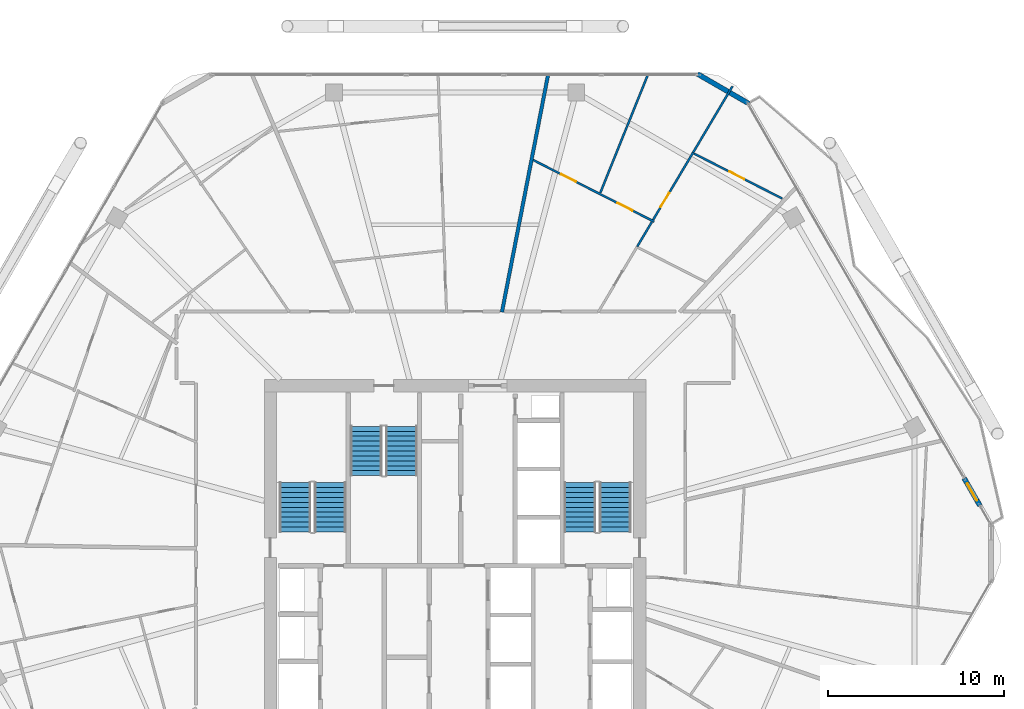
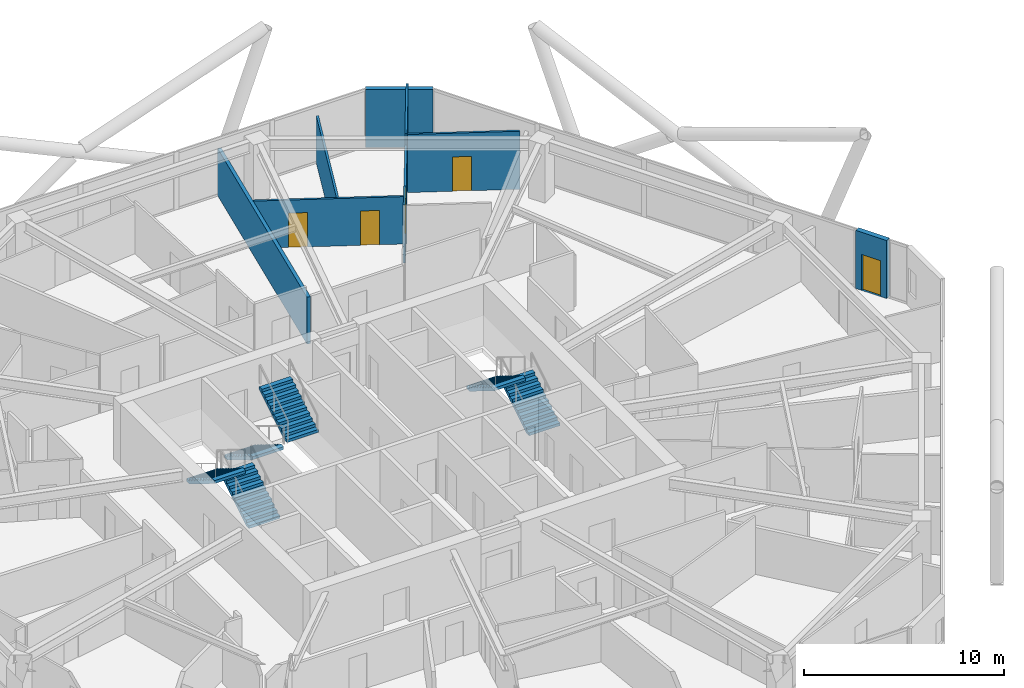
# One storey, part 24 of 27: 9 walls, 6 stair flights, 5 doors, 5 openings, 3 elements without a shape of their own.
"""IFC4 building model written with IfcOpenShell, lengths in metres."""

from ifc_helpers import new_model, si_unit, direction, frame, frame_2d, origin, place, context, subcontext, project, spatial, polyline, rectangle, outline, extrude, material, layer, layer_set, type_object, element, fill, aggregate, save


model = new_model("IFC4")

# Units and contexts
model_context = context("Model", 3, precision=1e-05, world=origin(), true_north=direction((0.0, 1.0)))
body_context = subcontext(model_context, "Body", "Model", "MODEL_VIEW")
ifc_project = project(units=[si_unit("LENGTHUNIT", "METRE"), si_unit("AREAUNIT", "SQUARE_METRE"), si_unit("VOLUMEUNIT", "CUBIC_METRE"), si_unit("PLANEANGLEUNIT", "RADIAN"), si_unit("MASSUNIT", "GRAM", prefix="KILO")], contexts=[model_context])

# Site, building, storey
site_placement = place(None, origin())
site = spatial("IfcSite", under=ifc_project, at=site_placement, CompositionType="ELEMENT")
building_placement = place(site_placement, origin())
building = spatial("IfcBuilding", under=site, at=building_placement, Name="Zuhravey Tower", CompositionType="ELEMENT")
storey_placement = place(building_placement, frame((0.0, 0.0, 215.0)))
storey = spatial("IfcBuildingStorey", under=building, at=storey_placement, Name="L54", CompositionType="ELEMENT", Elevation=215.0)

# Wall
ifc_material_1 = material(Name="Precast concrete C40/50", Category="concrete")
ifc_layer_1 = layer(ifc_material_1, 0.280029296875)
ifc_layer_set_1 = layer_set([ifc_layer_1], Name="Precast concrete C40/50")
wall_type_1 = type_object("IfcWallType", Name="Crown Architectural Wall 280", PredefinedType="SOLIDWALL", material=ifc_layer_set_1)
wall_1_placement = place(storey_placement, frame((49.77880859375, 59.230712890625, 0.0), z_axis=(0.0, 0.0, 1.0), x_axis=(0.866020068361, -0.500009241111, 0.0)))
element("IfcWall", 1, at=wall_1_placement, inside=storey, type_object=wall_type_1, Name="L54 Rounded Corner Closure Wall EW28-10", PredefinedType="SOLIDWALL", context=body_context, shape_type="SweptSolid", body=[
    extrude(rectangle(XDim=3.365234375, YDim=0.280029296875, at=frame_2d((1.6826171875, 0.0))), origin(), (0.0, 0.0, 1.0), 3.550048828125),
])

# Wall, opening, door
wall_2_placement = place(storey_placement, frame((64.937255859375, 36.24560546875, 0.0), z_axis=(0.0, 0.0, 1.0), x_axis=(0.499982180423, -0.866035691677, 0.0)))
wall_2 = element("IfcWall", 2, at=wall_2_placement, inside=storey, type_object=wall_type_1, Name="L54 Face 1 Facade Pier EW28-1", PredefinedType="SOLIDWALL", context=body_context, shape_type="SweptSolid", body=[
    extrude(rectangle(XDim=1.7900390625, YDim=0.280029296875, at=frame_2d((0.89501953125, 0.0))), origin(), (0.0, 0.0, 1.0), 3.550048828125),
])
opening_1_placement = place(wall_2_placement, frame((0.344970703125, 0.0, 0.0)))
opening_1 = element("IfcOpeningElement", 3, at=opening_1_placement, cuts=wall_2, Name="Opening BLD1", PredefinedType="OPENING", context=body_context, shape_type="SweptSolid", body=[
    extrude(rectangle(XDim=1.10009765625, YDim=2.199951171875, at=frame_2d((0.550048828125, 1.10009765625))), frame((0.0, 0.152099609375, 0.0), z_axis=(0.0, -1.0, 0.0), x_axis=(1.0, 0.0, 0.0)), (0.0, 0.0, 1.0), 0.303955078125),
])
ifc_material_2 = material(Name="Thermally broken aluminium and low-E glass", Category="aluminium")
door_type_1 = type_object("IfcDoorType", Name="Balcony & Sky-Tray Glazed Door 1100x2200", OperationType="NOTDEFINED", PredefinedType="DOOR", material=ifc_material_2)
door_1_placement = place(opening_1_placement, frame((1.10009765625, 0.0, 0.0), z_axis=(0.0, 0.0, 1.0), x_axis=(-1.0, 0.0, 0.0)))
door_1 = element("IfcDoor", 4, at=door_1_placement, inside=storey, type_object=door_type_1, Name="L54 Face 1 Wave Balcony Door", OperationType="SINGLE_SWING_RIGHT", OverallHeight=2.199951171875, OverallWidth=1.10009765625, PredefinedType="DOOR", context=body_context, shape_type="SweptSolid", body=[
    extrude(rectangle(XDim=1.10009765625, YDim=2.199951171875, at=frame_2d((0.550048828125, 1.10009765625))), frame((0.0, 0.02490234375, 0.0), z_axis=(0.0, -1.0, 0.0), x_axis=(1.0, 0.0, 0.0)), (0.0, 0.0, 1.0), 0.050048828125),
])
fill(opening_1, door_1)

# Wall
ifc_material_3 = material(Name="Gypsum double-stud party assembly")
ifc_layer_2 = layer(ifc_material_3, 0.199951171875)
ifc_layer_set_2 = layer_set([ifc_layer_2], Name="Gypsum double-stud party assembly")
wall_type_2 = type_object("IfcWallType", Name="Inter-Tenancy Party Wall 200", PredefinedType="PARTITIONING", material=ifc_layer_set_2)
wall_3_placement = place(storey_placement, frame((38.6611328125, 45.68994140625, 0.0), z_axis=(0.0, 0.0, 1.0), x_axis=(0.190808808393, 0.981627219794, 0.0)))
element("IfcWall", 5, at=wall_3_placement, inside=storey, type_object=wall_type_2, Name="L54 IW20 Partition 081", PredefinedType="PARTITIONING", context=body_context, shape_type="SweptSolid", body=[
    extrude(rectangle(XDim=13.74560546875, YDim=0.199951171875, at=frame_2d((6.872802734375, 0.0))), origin(), (0.0, 0.0, 1.0), 2.8701171875),
])

# Wall, openings, doors
ifc_material_4 = material(Name="Gypsum metal-stud partition")
ifc_layer_3 = layer(ifc_material_4, 0.1201171875)
ifc_layer_set_3 = layer_set([ifc_layer_3], Name="Gypsum metal-stud partition")
wall_type_3 = type_object("IfcWallType", Name="Unit Internal Partition 120", PredefinedType="PARTITIONING", material=ifc_layer_set_3)
wall_4_placement = place(storey_placement, frame((47.310302734375, 50.837890625, 0.0), z_axis=(0.0, 0.0, 1.0), x_axis=(-0.890999610934, 0.45400406751, 0.0)))
wall_4 = element("IfcWall", 6, at=wall_4_placement, inside=storey, type_object=wall_type_3, Name="L54 IW12 Partition 020", PredefinedType="PARTITIONING", context=body_context, shape_type="SweptSolid", body=[
    extrude(rectangle(XDim=7.7080078125, YDim=0.1201171875, at=frame_2d((3.85400390625, 0.0))), origin(), (0.0, 0.0, 1.0), 2.89990234375),
])
opening_2_placement = place(wall_4_placement, frame((1.376708984375, 0.0, 0.0)))
opening_2 = element("IfcOpeningElement", 7, at=opening_2_placement, cuts=wall_4, Name="Opening IND1", PredefinedType="OPENING", context=body_context, shape_type="SweptSolid", body=[
    extrude(rectangle(XDim=0.949951171875, YDim=2.10009765625, at=frame_2d((0.47509765625, 1.050048828125))), frame((0.0, 0.072021484375, 0.0), z_axis=(0.0, -1.0, 0.0), x_axis=(1.0, 0.0, 0.0)), (0.0, 0.0, 1.0), 0.14404296875),
])
opening_3_placement = place(wall_4_placement, frame((4.990478515625, 0.0, 0.0)))
opening_3 = element("IfcOpeningElement", 8, at=opening_3_placement, cuts=wall_4, Name="Opening IND1", PredefinedType="OPENING", context=body_context, shape_type="SweptSolid", body=[
    extrude(rectangle(XDim=0.949951171875, YDim=2.10009765625, at=frame_2d((0.47509765625, 1.050048828125))), frame((0.0, 0.072021484375, 0.0), z_axis=(0.0, -1.0, 0.0), x_axis=(1.0, 0.0, 0.0)), (0.0, 0.0, 1.0), 0.14404296875),
])
ifc_material_5 = material(Name="Painted engineered timber leaf", Category="wood")
door_type_2 = type_object("IfcDoorType", Name="Internal Room & Bedroom Door 950x2100", OperationType="NOTDEFINED", PredefinedType="DOOR", material=ifc_material_5)
door_2_placement = place(opening_2_placement, frame((0.949951171875, 0.0, 0.0), z_axis=(0.0, 0.0, 1.0), x_axis=(-1.0, 0.0, 0.0)))
door_2 = element("IfcDoor", 9, at=door_2_placement, inside=storey, type_object=door_type_2, Name="Apartment L54-01 Family Study Door", OperationType="SINGLE_SWING_LEFT", OverallHeight=2.10009765625, OverallWidth=0.949951171875, PredefinedType="DOOR", context=body_context, shape_type="SweptSolid", body=[
    extrude(rectangle(XDim=0.949951171875, YDim=2.10009765625, at=frame_2d((0.47509765625, 1.050048828125))), frame((0.0, 0.02490234375, 0.0), z_axis=(0.0, -1.0, 0.0), x_axis=(1.0, 0.0, 0.0)), (0.0, 0.0, 1.0), 0.050048828125),
])
fill(opening_2, door_2)
door_3_placement = place(opening_3_placement, frame((0.949951171875, 0.0, 0.0), z_axis=(0.0, 0.0, 1.0), x_axis=(-1.0, 0.0, 0.0)))
door_3 = element("IfcDoor", 10, at=door_3_placement, inside=storey, type_object=door_type_2, Name="Apartment L54-01 Dining Room Door", OperationType="SINGLE_SWING_RIGHT", OverallHeight=2.10009765625, OverallWidth=0.949951171875, PredefinedType="DOOR", context=body_context, shape_type="SweptSolid", body=[
    extrude(rectangle(XDim=0.949951171875, YDim=2.10009765625, at=frame_2d((0.47509765625, 1.050048828125))), frame((0.0, 0.02490234375, 0.0), z_axis=(0.0, -1.0, 0.0), x_axis=(1.0, 0.0, 0.0)), (0.0, 0.0, 1.0), 0.050048828125),
])
fill(opening_3, door_3)

# Wall
wall_5_placement = place(storey_placement, frame((46.34912109375, 49.415771484375, 0.0), z_axis=(0.0, 0.0, 1.0), x_axis=(0.510810635224, 0.859693256308, 0.0)))
element("IfcWall", 11, at=wall_5_placement, inside=storey, type_object=wall_type_3, Name="L54 IW12 Partition 022", PredefinedType="PARTITIONING", context=body_context, shape_type="SweptSolid", body=[
    extrude(rectangle(XDim=1.638916015625, YDim=0.1201171875, at=frame_2d((0.8193359375, 0.0))), origin(), (0.0, 0.0, 1.0), 3.550048828125),
])

# Wall, opening, door
wall_6_placement = place(storey_placement, frame((47.255859375, 50.94189453125, 0.0), z_axis=(0.0, 0.0, 1.0), x_axis=(0.510837189242, 0.859677477946, 0.0)))
wall_6 = element("IfcWall", 12, at=wall_6_placement, inside=storey, type_object=wall_type_3, Name="L54 IW12 Partition 023", PredefinedType="PARTITIONING", context=body_context, shape_type="SweptSolid", body=[
    extrude(rectangle(XDim=4.44140625, YDim=0.1201171875, at=frame_2d((2.220703125, 0.0))), origin(), (0.0, 0.0, 1.0), 2.8701171875),
])
opening_4_placement = place(wall_6_placement, frame((0.8330078125, 0.0, 0.0)))
opening_4 = element("IfcOpeningElement", 13, at=opening_4_placement, cuts=wall_6, Name="Opening IND1", PredefinedType="OPENING", context=body_context, shape_type="SweptSolid", body=[
    extrude(rectangle(XDim=0.949951171875, YDim=2.10009765625, at=frame_2d((0.47509765625, 1.050048828125))), frame((0.0, 0.072021484375, 0.0), z_axis=(0.0, -1.0, 0.0), x_axis=(1.0, 0.0, 0.0)), (0.0, 0.0, 1.0), 0.14404296875),
])
door_4_placement = place(opening_4_placement, frame((0.949951171875, 0.0, 0.0), z_axis=(0.0, 0.0, 1.0), x_axis=(-1.0, 0.0, 0.0)))
door_4 = element("IfcDoor", 14, at=door_4_placement, inside=storey, type_object=door_type_2, Name="Apartment L54-01 Home Office Door", OperationType="SINGLE_SWING_RIGHT", OverallHeight=2.10009765625, OverallWidth=0.949951171875, PredefinedType="DOOR", context=body_context, shape_type="SweptSolid", body=[
    extrude(rectangle(XDim=0.949951171875, YDim=2.10009765625, at=frame_2d((0.47509765625, 1.050048828125))), frame((0.0, 0.02490234375, 0.0), z_axis=(0.0, -1.0, 0.0), x_axis=(1.0, 0.0, 0.0)), (0.0, 0.0, 1.0), 0.050048828125),
])
fill(opening_4, door_4)

wall_7_placement = place(storey_placement, frame((54.597412109375, 52.1474609375, 0.0), z_axis=(0.0, 0.0, 1.0), x_axis=(-0.891024959867, 0.453954315867, 0.0)))
wall_7 = element("IfcWall", 15, at=wall_7_placement, inside=storey, type_object=wall_type_3, Name="L54 IW12 Partition 024", PredefinedType="PARTITIONING", context=body_context, shape_type="SweptSolid", body=[
    extrude(rectangle(XDim=5.639404296875, YDim=0.1201171875, at=frame_2d((2.81982421875, 0.0))), origin(), (0.0, 0.0, 1.0), 3.550048828125),
])
opening_5_placement = place(wall_7_placement, frame((2.4287109375, 0.0, 0.0)))
opening_5 = element("IfcOpeningElement", 16, at=opening_5_placement, cuts=wall_7, Name="Opening IND1", PredefinedType="OPENING", context=body_context, shape_type="SweptSolid", body=[
    extrude(rectangle(XDim=0.949951171875, YDim=2.10009765625, at=frame_2d((0.47509765625, 1.050048828125))), frame((0.0, 0.072021484375, 0.0), z_axis=(0.0, -1.0, 0.0), x_axis=(1.0, 0.0, 0.0)), (0.0, 0.0, 1.0), 0.14404296875),
])
door_5_placement = place(opening_5_placement, frame((0.949951171875, 0.0, 0.0), z_axis=(0.0, 0.0, 1.0), x_axis=(-1.0, 0.0, 0.0)))
door_5 = element("IfcDoor", 17, at=door_5_placement, inside=storey, type_object=door_type_2, Name="Apartment L54-01 Kitchen Door", OperationType="SINGLE_SWING_LEFT", OverallHeight=2.10009765625, OverallWidth=0.949951171875, PredefinedType="DOOR", context=body_context, shape_type="SweptSolid", body=[
    extrude(rectangle(XDim=0.949951171875, YDim=2.10009765625, at=frame_2d((0.47509765625, 1.050048828125))), frame((0.0, 0.02490234375, 0.0), z_axis=(0.0, -1.0, 0.0), x_axis=(1.0, 0.0, 0.0)), (0.0, 0.0, 1.0), 0.050048828125),
])
fill(opening_5, door_5)

# Walls
wall_8_placement = place(storey_placement, frame((44.250732421875, 52.47314453125, 0.0), z_axis=(0.0, 0.0, 1.0), x_axis=(0.373770231309, 0.927521328158, 0.0)))
element("IfcWall", 18, at=wall_8_placement, inside=storey, type_object=wall_type_3, Name="L54 IW12 Partition 077", PredefinedType="PARTITIONING", context=body_context, shape_type="SweptSolid", body=[
    extrude(rectangle(XDim=7.2666015625, YDim=0.1201171875, at=frame_2d((3.63330078125, 0.0))), origin(), (0.0, 0.0, 1.0), 2.8701171875),
])
wall_9_placement = place(storey_placement, frame((49.524658203125, 54.760009765625, 0.0), z_axis=(0.0, 0.0, 1.0), x_axis=(0.51083552575, 0.859678466423, 0.0)))
element("IfcWall", 19, at=wall_9_placement, inside=storey, type_object=wall_type_3, Name="L54 IW12 Partition 079", PredefinedType="PARTITIONING", context=body_context, shape_type="SweptSolid", body=[
    extrude(rectangle(XDim=4.39013671875, YDim=0.1201171875, at=frame_2d((2.195068359375, 0.0))), origin(), (0.0, 0.0, 1.0), 3.550048828125),
])

# Stair, stair flights
ifc_material_6 = material(Name="Concrete C40/50", Category="concrete")
stair_type = type_object("IfcStairType", Name="Housing Storey Stair Assembly 3800", PredefinedType="HALF_TURN_STAIR", material=ifc_material_6)
stair_1_placement = place(storey_placement, origin())
stair_1 = element("IfcStair", 20, at=stair_1_placement, inside=storey, type_object=stair_type, Name="L54 Core Exit Stair ST1", PredefinedType="HALF_TURN_STAIR")
stair_flight_type = type_object("IfcStairFlightType", Name="Housing Storey Stair Flight 3800", PredefinedType="STRAIGHT", material=ifc_material_6)
stair_flight_1_placement = place(storey_placement, frame((28.89990234375, 33.199951171875, 0.0), z_axis=(0.0, 0.0, 1.0), x_axis=(0.0, 1.0, 0.0)))
stair_flight_1 = element("IfcStairFlight", 21, at=stair_flight_1_placement, type_object=stair_flight_type, Name="ST1 flight 1", NumberOfRisers=11, NumberOfTreads=10, PredefinedType="STRAIGHT", RiserHeight=0.172727273, TreadLength=0.28, context=body_context, shape_type="SweptSolid", body=[
    extrude(outline(polyline([(0.0, 0.0), (0.0, 0.172607421875), (0.280029296875, 0.172607421875), (0.280029296875, 0.345458984375), (0.56005859375, 0.345458984375), (0.56005859375, 0.51806640625), (0.840087890625, 0.51806640625), (0.840087890625, 0.69091796875), (1.1201171875, 0.69091796875), (1.1201171875, 0.863525390625), (1.39990234375, 0.863525390625), (1.39990234375, 1.036376953125), (1.679931640625, 1.036376953125), (1.679931640625, 1.208984375), (1.9599609375, 1.208984375), (1.9599609375, 1.3818359375), (2.239990234375, 1.3818359375), (2.239990234375, 1.554443359375), (2.52001953125, 1.554443359375), (2.52001953125, 1.727294921875), (2.800048828125, 1.727294921875), (2.800048828125, 1.89990234375), (2.800048828125, 1.551025390625), (0.285400390625, 0.0), (0.0, 0.0)])), frame((0.0, 0.89990234375, 0.0), z_axis=(0.0, -1.0, 0.0), x_axis=(1.0, 0.0, 0.0)), (0.0, 0.0, 1.0), 1.800048828125),
])
stair_flight_2_placement = place(storey_placement, frame((26.89990234375, 36.0, 1.89990234375), z_axis=(0.0, 0.0, 1.0), x_axis=(0.0, -1.0, 0.0)))
stair_flight_2 = element("IfcStairFlight", 22, at=stair_flight_2_placement, type_object=stair_flight_type, Name="ST1 flight 2", NumberOfRisers=11, NumberOfTreads=10, PredefinedType="STRAIGHT", RiserHeight=0.172727273, TreadLength=0.28, context=body_context, shape_type="SweptSolid", body=[
    extrude(outline(polyline([(0.0, 0.0), (0.0, 0.172607421875), (0.280029296875, 0.172607421875), (0.280029296875, 0.345458984375), (0.56005859375, 0.345458984375), (0.56005859375, 0.51806640625), (0.840087890625, 0.51806640625), (0.840087890625, 0.69091796875), (1.1201171875, 0.69091796875), (1.1201171875, 0.863525390625), (1.39990234375, 0.863525390625), (1.39990234375, 1.036376953125), (1.679931640625, 1.036376953125), (1.679931640625, 1.208984375), (1.9599609375, 1.208984375), (1.9599609375, 1.3818359375), (2.239990234375, 1.3818359375), (2.239990234375, 1.554443359375), (2.52001953125, 1.554443359375), (2.52001953125, 1.727294921875), (2.800048828125, 1.727294921875), (2.800048828125, 1.89990234375), (2.800048828125, 1.551025390625), (0.285400390625, 0.0), (0.0, 0.0)])), frame((0.0, 0.89990234375, 0.0), z_axis=(0.0, -1.0, 0.0), x_axis=(1.0, 0.0, 0.0)), (0.0, 0.0, 1.0), 1.800048828125),
])
aggregate(stair_1, [stair_flight_1, stair_flight_2])

stair_2_placement = place(storey_placement, origin())
stair_2 = element("IfcStair", 23, at=stair_2_placement, inside=storey, type_object=stair_type, Name="L54 Core Exit Stair ST2", PredefinedType="HALF_TURN_STAIR")
stair_flight_3_placement = place(storey_placement, frame((45.10009765625, 33.199951171875, 0.0), z_axis=(0.0, 0.0, 1.0), x_axis=(0.0, 1.0, 0.0)))
stair_flight_3 = element("IfcStairFlight", 24, at=stair_flight_3_placement, type_object=stair_flight_type, Name="ST2 flight 1", NumberOfRisers=11, NumberOfTreads=10, PredefinedType="STRAIGHT", RiserHeight=0.172727273, TreadLength=0.28, context=body_context, shape_type="SweptSolid", body=[
    extrude(outline(polyline([(0.0, 0.0), (0.0, 0.172607421875), (0.280029296875, 0.172607421875), (0.280029296875, 0.345458984375), (0.56005859375, 0.345458984375), (0.56005859375, 0.51806640625), (0.840087890625, 0.51806640625), (0.840087890625, 0.69091796875), (1.1201171875, 0.69091796875), (1.1201171875, 0.863525390625), (1.39990234375, 0.863525390625), (1.39990234375, 1.036376953125), (1.679931640625, 1.036376953125), (1.679931640625, 1.208984375), (1.9599609375, 1.208984375), (1.9599609375, 1.3818359375), (2.239990234375, 1.3818359375), (2.239990234375, 1.554443359375), (2.52001953125, 1.554443359375), (2.52001953125, 1.727294921875), (2.800048828125, 1.727294921875), (2.800048828125, 1.89990234375), (2.800048828125, 1.551025390625), (0.285400390625, 0.0), (0.0, 0.0)])), frame((0.0, 0.89990234375, 0.0), z_axis=(0.0, -1.0, 0.0), x_axis=(1.0, 0.0, 0.0)), (0.0, 0.0, 1.0), 1.800048828125),
])
stair_flight_4_placement = place(storey_placement, frame((43.10009765625, 36.0, 1.89990234375), z_axis=(0.0, 0.0, 1.0), x_axis=(0.0, -1.0, 0.0)))
stair_flight_4 = element("IfcStairFlight", 25, at=stair_flight_4_placement, type_object=stair_flight_type, Name="ST2 flight 2", NumberOfRisers=11, NumberOfTreads=10, PredefinedType="STRAIGHT", RiserHeight=0.172727273, TreadLength=0.28, context=body_context, shape_type="SweptSolid", body=[
    extrude(outline(polyline([(0.0, 0.0), (0.0, 0.172607421875), (0.280029296875, 0.172607421875), (0.280029296875, 0.345458984375), (0.56005859375, 0.345458984375), (0.56005859375, 0.51806640625), (0.840087890625, 0.51806640625), (0.840087890625, 0.69091796875), (1.1201171875, 0.69091796875), (1.1201171875, 0.863525390625), (1.39990234375, 0.863525390625), (1.39990234375, 1.036376953125), (1.679931640625, 1.036376953125), (1.679931640625, 1.208984375), (1.9599609375, 1.208984375), (1.9599609375, 1.3818359375), (2.239990234375, 1.3818359375), (2.239990234375, 1.554443359375), (2.52001953125, 1.554443359375), (2.52001953125, 1.727294921875), (2.800048828125, 1.727294921875), (2.800048828125, 1.89990234375), (2.800048828125, 1.551025390625), (0.285400390625, 0.0), (0.0, 0.0)])), frame((0.0, 0.89990234375, 0.0), z_axis=(0.0, -1.0, 0.0), x_axis=(1.0, 0.0, 0.0)), (0.0, 0.0, 1.0), 1.800048828125),
])
aggregate(stair_2, [stair_flight_3, stair_flight_4])

stair_3_placement = place(storey_placement, origin())
stair_3 = element("IfcStair", 26, at=stair_3_placement, inside=storey, type_object=stair_type, Name="L54 Core Exit Stair ST3", PredefinedType="HALF_TURN_STAIR")
stair_flight_5_placement = place(storey_placement, frame((30.949951171875, 39.199951171875, 0.0), z_axis=(0.0, 0.0, 1.0), x_axis=(0.0, -1.0, 0.0)))
stair_flight_5 = element("IfcStairFlight", 27, at=stair_flight_5_placement, type_object=stair_flight_type, Name="ST3 flight 1", NumberOfRisers=11, NumberOfTreads=10, PredefinedType="STRAIGHT", RiserHeight=0.172727273, TreadLength=0.28, context=body_context, shape_type="SweptSolid", body=[
    extrude(outline(polyline([(0.0, 0.0), (0.0, 0.172607421875), (0.280029296875, 0.172607421875), (0.280029296875, 0.345458984375), (0.56005859375, 0.345458984375), (0.56005859375, 0.51806640625), (0.840087890625, 0.51806640625), (0.840087890625, 0.69091796875), (1.1201171875, 0.69091796875), (1.1201171875, 0.863525390625), (1.39990234375, 0.863525390625), (1.39990234375, 1.036376953125), (1.679931640625, 1.036376953125), (1.679931640625, 1.208984375), (1.9599609375, 1.208984375), (1.9599609375, 1.3818359375), (2.239990234375, 1.3818359375), (2.239990234375, 1.554443359375), (2.52001953125, 1.554443359375), (2.52001953125, 1.727294921875), (2.800048828125, 1.727294921875), (2.800048828125, 1.89990234375), (2.800048828125, 1.551025390625), (0.285400390625, 0.0), (0.0, 0.0)])), frame((0.0, 0.89990234375, 0.0), z_axis=(0.0, -1.0, 0.0), x_axis=(1.0, 0.0, 0.0)), (0.0, 0.0, 1.0), 1.800048828125),
])
stair_flight_6_placement = place(storey_placement, frame((32.949951171875, 36.39990234375, 1.89990234375), z_axis=(0.0, 0.0, 1.0), x_axis=(0.0, 1.0, 0.0)))
stair_flight_6 = element("IfcStairFlight", 28, at=stair_flight_6_placement, type_object=stair_flight_type, Name="ST3 flight 2", NumberOfRisers=11, NumberOfTreads=10, PredefinedType="STRAIGHT", RiserHeight=0.172727273, TreadLength=0.28, context=body_context, shape_type="SweptSolid", body=[
    extrude(outline(polyline([(0.0, 0.0), (0.0, 0.172607421875), (0.280029296875, 0.172607421875), (0.280029296875, 0.345458984375), (0.56005859375, 0.345458984375), (0.56005859375, 0.51806640625), (0.840087890625, 0.51806640625), (0.840087890625, 0.69091796875), (1.1201171875, 0.69091796875), (1.1201171875, 0.863525390625), (1.39990234375, 0.863525390625), (1.39990234375, 1.036376953125), (1.679931640625, 1.036376953125), (1.679931640625, 1.208984375), (1.9599609375, 1.208984375), (1.9599609375, 1.3818359375), (2.239990234375, 1.3818359375), (2.239990234375, 1.554443359375), (2.52001953125, 1.554443359375), (2.52001953125, 1.727294921875), (2.800048828125, 1.727294921875), (2.800048828125, 1.89990234375), (2.800048828125, 1.551025390625), (0.285400390625, 0.0), (0.0, 0.0)])), frame((0.0, 0.89990234375, 0.0), z_axis=(0.0, -1.0, 0.0), x_axis=(1.0, 0.0, 0.0)), (0.0, 0.0, 1.0), 1.800048828125),
])
aggregate(stair_3, [stair_flight_5, stair_flight_6])

save(model, "model.ifc")
